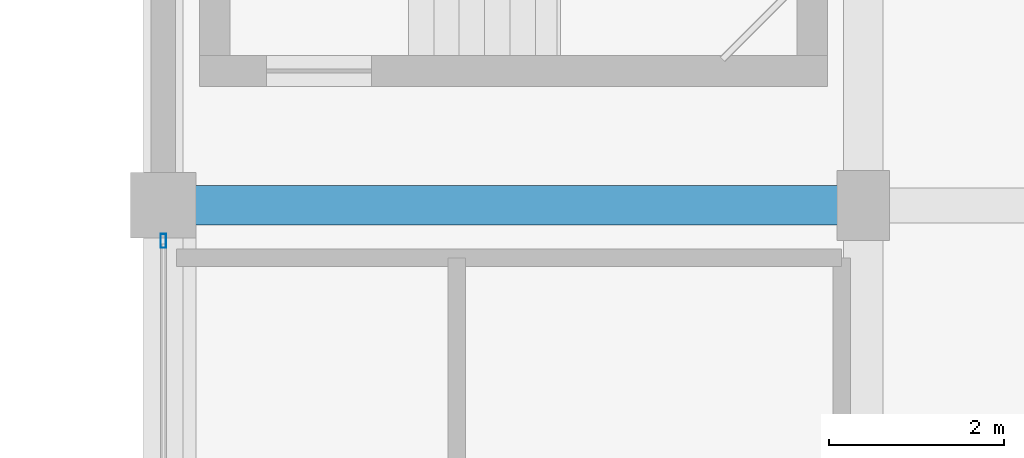
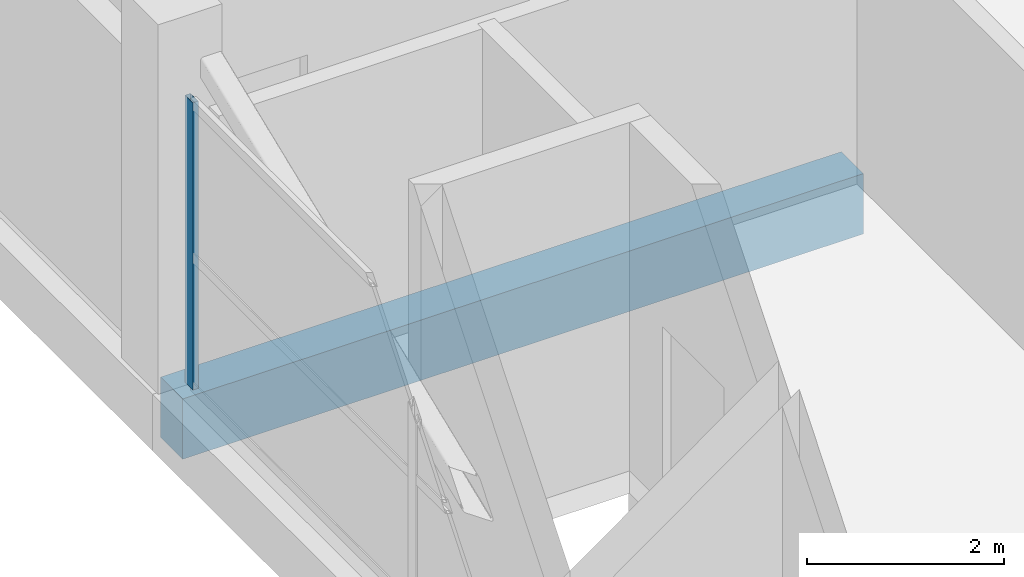
# One storey, part 23 of 58: 1 beam, 1 member, 1 element without a shape of its own.
"""IFC4 building model written with IfcOpenShell, lengths in metres."""

from ifc_helpers import new_model, si_unit, direction, frame, origin, origin_2d, place, context, subcontext, project, spatial, rectangle, hollow_rectangle, extrude, material, layer, layer_set, material_profile, profile_set, type_object, element, aggregate, save


model = new_model("IFC4")

# Units and contexts
model_context = context("Model", 3, precision=1e-05, world=origin(), true_north=direction((0.0, 1.0)))
body_context = subcontext(model_context, "Body", "Model", "MODEL_VIEW")
ifc_project = project(units=[si_unit("LENGTHUNIT", "METRE"), si_unit("AREAUNIT", "SQUARE_METRE"), si_unit("VOLUMEUNIT", "CUBIC_METRE"), si_unit("PLANEANGLEUNIT", "RADIAN"), si_unit("MASSUNIT", "GRAM", prefix="KILO")], contexts=[model_context])

# Site, building, storey
site_placement = place(None, origin())
site = spatial("IfcSite", under=ifc_project, at=site_placement, CompositionType="ELEMENT")
building_placement = place(site_placement, origin())
building = spatial("IfcBuilding", under=site, at=building_placement, Name="Sillaruma Civic Art Gallery", CompositionType="ELEMENT")
storey_placement = place(building_placement, frame((0.0, 0.0, 28.56005859375)))
storey = spatial("IfcBuildingStorey", under=building, at=storey_placement, Name="L05", CompositionType="ELEMENT", Elevation=28.56005859375)

# Beam
ifc_material_1 = material(Name="Concrete H40 (40 MPa)", Category="concrete")
ifc_material_profile_1 = material_profile(ifc_material_1, rectangle(XDim=0.449951171875, YDim=0.75, at=origin_2d()), Name="RCB450x750")
ifc_profile_set_1 = profile_set([ifc_material_profile_1], Name="Concrete H40 (40 MPa)")
beam_type = type_object("IfcBeamType", Name="BM-BEAM-RCB450x750", PredefinedType="BEAM", material=ifc_profile_set_1)
beam_placement = place(storey_placement, frame((62.0, 79.199951171875, -0.655029296875), z_axis=(1.0, 0.0, 0.0), x_axis=(0.0, 1.0, 0.0)))
element("IfcBeam", 1, at=beam_placement, inside=storey, type_object=beam_type, Name="Beam BM-03 (L04:9:F-G)", PredefinedType="BEAM", context=body_context, shape_type="SweptSolid", body=[
    extrude(rectangle(XDim=0.449951171875, YDim=0.75, at=origin_2d()), origin(), (0.0, 0.0, 1.0), 8.0),
])

# Curtain wall, member
ifc_material_2 = material(Name="Thermally Broken Extruded Aluminium 6063-T6", Category="aluminium")
ifc_layer = layer(ifc_material_2, 0.159912109375, Name="Thermally Broken Extruded Aluminium 6063-T6")
ifc_layer_set = layer_set([ifc_layer], Name="Thermally Broken Extruded Aluminium 6063-T6")
curtain_wall_type = type_object("IfcCurtainWallType", Name="CW-UNI-30", PredefinedType="NOTDEFINED", material=ifc_layer_set)
curtain_wall_placement = place(storey_placement, origin())
curtain_wall = element("IfcCurtainWall", 2, at=curtain_wall_placement, inside=storey, type_object=curtain_wall_type, Name="Unitised Curtain Wall CW-30 (CW-L05-W-6)", PredefinedType="NOTDEFINED")
ifc_material_profile_2 = material_profile(ifc_material_2, hollow_rectangle(XDim=0.06494140625, YDim=0.159912109375, WallThickness=0.00390625, at=origin_2d()), Name="CWM65x160")
ifc_profile_set_2 = profile_set([ifc_material_profile_2], Name="Thermally Broken Extruded Aluminium 6063-T6")
member_type = type_object("IfcMemberType", Name="MEM-MUL-CWM65x160", PredefinedType="MULLION", material=ifc_profile_set_2)
member_placement = place(storey_placement, frame((62.0, 78.79248046875, 0.0), z_axis=(0.0, 0.0, 1.0), x_axis=(-1.0, 0.0, 0.0)))
member = element("IfcMember", 3, at=member_placement, type_object=member_type, Name="CW-30 mullion 3", PredefinedType="MULLION", context=body_context, shape_type="SweptSolid", body=[
    extrude(hollow_rectangle(XDim=0.06494140625, YDim=0.159912109375, WallThickness=0.00390625, at=origin_2d()), origin(), (0.0, 0.0, 1.0), 3.56982421875),
])
aggregate(curtain_wall, [member])

save(model, "model.ifc")
